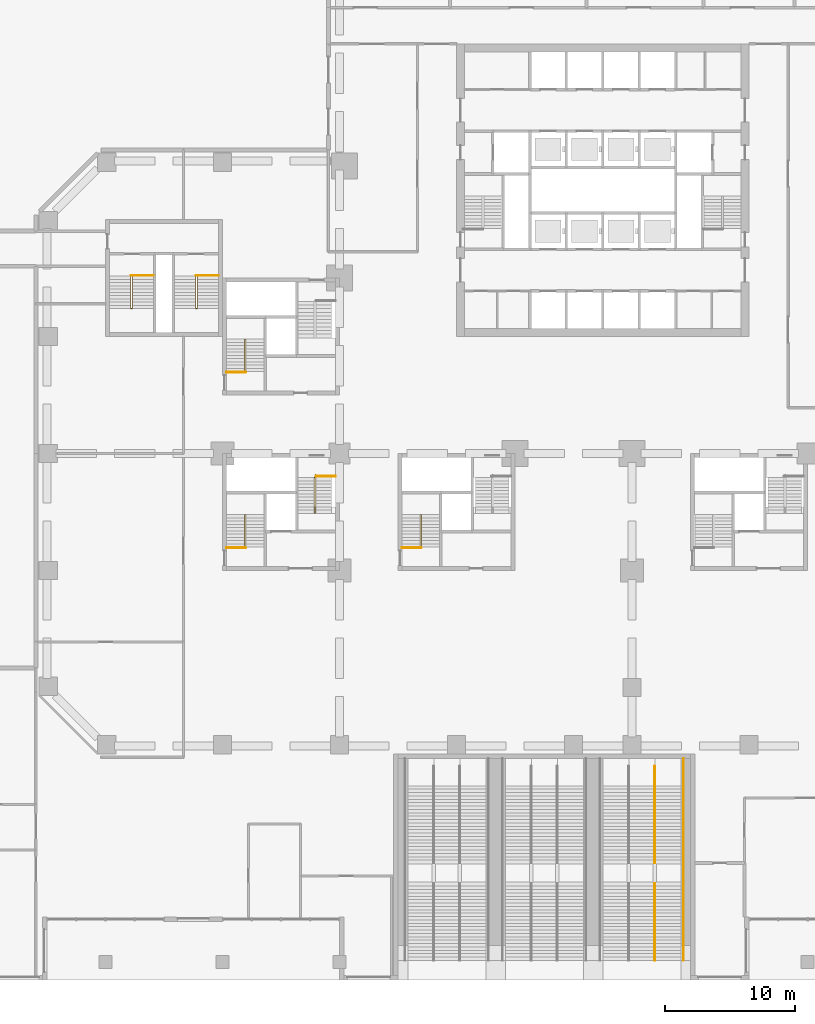
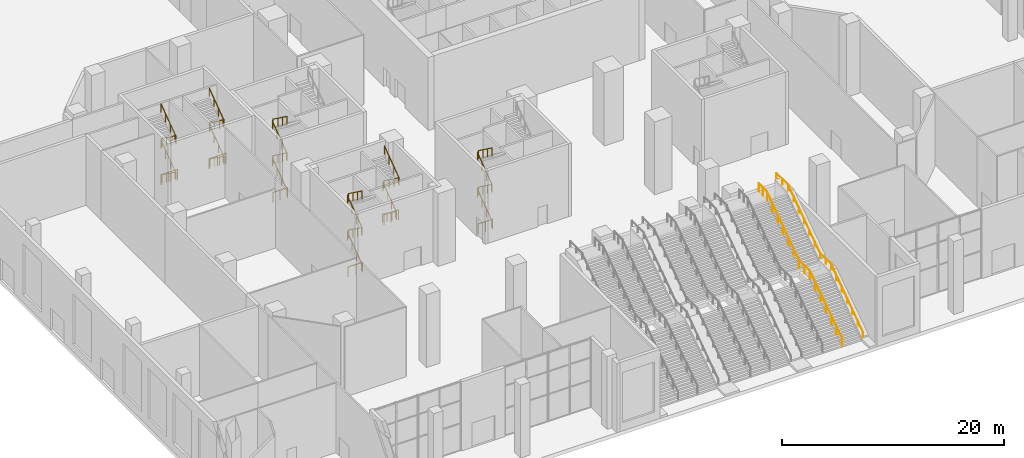
# One storey, part 30 of 32: 14 railings.
"""IFC4 building model written with IfcOpenShell, lengths in metres."""

import ifcopenshell
import ifcopenshell.guid

model = None  # the IFC model being written
_history = None  # IfcOwnerHistory: only IFC2X3 demands one
_inside = {}  # id of a spatial element -> (the spatial element, [elements in it])
_under = {}  # id of a project, library or spatial element -> (it, [spatial elements below it])
_declared = {}  # id of a project -> (the project, [libraries it declares])
_typed = {}  # id of a type object -> (the type object, [elements of that type])
_made_of = {}  # id of a material, layer set ... -> (it, [elements and type objects made of it])


def new_model(schema):
    """Start an empty IFC model of exactly this schema.

    Asked for "IFC4X3", IfcOpenShell would pick the latest addendum, in which some entities
    have other attributes; the version numbers below select the first issue.
    IFC2X3 requires an IfcOwnerHistory on every rooted entity: one is made here for all.
    """
    global model, _history
    if schema == "IFC4X3":
        model = ifcopenshell.file(schema_version=(4, 3, 0, 0))
    else:
        model = ifcopenshell.file(schema=schema)
    _inside.clear()
    _under.clear()
    _declared.clear()
    _typed.clear()
    _made_of.clear()
    _history = None
    if model.schema == "IFC2X3":
        org = make("IfcOrganization", Name="unknown")
        user = make(
            "IfcPersonAndOrganization",
            ThePerson=make("IfcPerson", FamilyName="unknown"),
            TheOrganization=org,
        )
        app = make(
            "IfcApplication",
            ApplicationDeveloper=org,
            Version="unknown",
            ApplicationFullName="unknown",
            ApplicationIdentifier="unknown",
        )
        _history = make(
            "IfcOwnerHistory",
            OwningUser=user,
            OwningApplication=app,
            ChangeAction="ADDED",
            CreationDate=0,
        )
    return model


def make(cls, **values):
    """One entity of the class cls with the attributes given. An attribute that is None is left unset."""
    return model.create_entity(
        cls, **{name: value for name, value in values.items() if value is not None}
    )


def rooted(cls, **values):
    """An entity with a GlobalId (a new one), such as an element, a storey or a relation."""
    return make(cls, GlobalId=ifcopenshell.guid.new(), OwnerHistory=_history, **values)


def si_unit(unit_type, name, prefix=None):
    """IfcSIUnit, for example si_unit("LENGTHUNIT", "METRE", prefix="MILLI")."""
    return make("IfcSIUnit", UnitType=unit_type, Prefix=prefix, Name=name)


def assignment(units):
    """IfcUnitAssignment: the units of a project."""
    return None if units is None else make("IfcUnitAssignment", Units=units)


def point(xyz):
    """IfcCartesianPoint."""
    return None if xyz is None else make("IfcCartesianPoint", Coordinates=xyz)


def direction(xyz):
    """IfcDirection."""
    return None if xyz is None else make("IfcDirection", DirectionRatios=xyz)


def frame(location, z_axis=None, x_axis=None):
    """IfcAxis2Placement3D, a coordinate frame: its origin and axes. An axis left out is left unset."""
    return make(
        "IfcAxis2Placement3D",
        Location=point(location),
        Axis=direction(z_axis),
        RefDirection=direction(x_axis),
    )


def frame_2d(location, x_axis=None):
    """IfcAxis2Placement2D, a coordinate frame in the plane: its origin and x axis."""
    return make(
        "IfcAxis2Placement2D", Location=point(location), RefDirection=direction(x_axis)
    )


def origin():
    """The frame at (0, 0, 0) with its axes left unset."""
    return frame((0.0, 0.0, 0.0))


def origin_2d():
    """The frame at (0, 0) in the plane with its x axis left unset."""
    return frame_2d((0.0, 0.0))


def place(relative_to, where):
    """IfcLocalPlacement: puts the frame where relative to a parent placement (None: the world)."""
    return make(
        "IfcLocalPlacement", PlacementRelTo=relative_to, RelativePlacement=where
    )


def context(
    kind, dimensions, precision=None, world=None, true_north=None, identifier=None
):
    """IfcGeometricRepresentationContext, for example the 3D "Model" context."""
    return make(
        "IfcGeometricRepresentationContext",
        ContextIdentifier=identifier,
        ContextType=kind,
        CoordinateSpaceDimension=dimensions,
        Precision=precision,
        WorldCoordinateSystem=world,
        TrueNorth=true_north,
    )


def subcontext(parent, identifier, kind, view, scale=None):
    """IfcGeometricRepresentationSubContext, for example "Body" below "Model"."""
    return make(
        "IfcGeometricRepresentationSubContext",
        ContextIdentifier=identifier,
        ContextType=kind,
        ParentContext=parent,
        TargetScale=scale,
        TargetView=view,
    )


def project(units=None, contexts=None):
    """IfcProject with its units and contexts."""
    return rooted(
        "IfcProject",
        Name="project",
        RepresentationContexts=contexts,
        UnitsInContext=assignment(units),
    )


def spatial(cls, under=None, at=None, **own):
    """A site, building, storey or space (cls), placed at a placement, below another one or the project."""
    s = rooted(cls, ObjectPlacement=at, **own)
    if under is not None:
        _under.setdefault(under.id(), (under, []))[1].append(s)
    return s


def profile(cls, at=None, kind="AREA", **sizes):
    """A parametric profile (cls). Its sizes go by their IFC names, for example OverallWidth=200.0."""
    return make(cls, ProfileType=kind, Position=at, **sizes)


def circle(**sizes):
    """IfcCircleProfileDef."""
    return profile("IfcCircleProfileDef", **sizes)


def extrude(swept, where, along, depth):
    """IfcExtrudedAreaSolid: the profile swept, set in the frame where, extruded along a direction by depth."""
    return make(
        "IfcExtrudedAreaSolid",
        SweptArea=swept,
        Position=where,
        ExtrudedDirection=direction(along),
        Depth=depth,
    )


def shape(context_of_items, identifier, shape_type, items):
    """IfcShapeRepresentation: the items that make up one representation, for example the "Body"."""
    return make(
        "IfcShapeRepresentation",
        ContextOfItems=context_of_items,
        RepresentationIdentifier=identifier,
        RepresentationType=shape_type,
        Items=items,
    )


def material(Name=None, Category=None):
    """IfcMaterial."""
    return make("IfcMaterial", Name=Name, Category=Category)


def made_of(thing, what):
    """Note that an element or type object is made of a material, layer set ...; save() writes the relation."""
    if what is not None:
        _made_of.setdefault(what.id(), (what, []))[1].append(thing)
    return thing


def type_object(cls, material=None, **own):
    """A type object (cls), such as IfcWallType, which elements share."""
    return made_of(rooted(cls, **own), material)


def element(
    cls,
    number,
    at=None,
    inside=None,
    cuts=None,
    type_object=None,
    material=None,
    context=None,
    identifier="Body",
    shape_type=None,
    held_by="IfcProductDefinitionShape",
    body=None,
    shapes=None,
    **own,
):
    """One element of the class cls, such as IfcWall. Its Tag is "e" and its number.

    at: its placement. inside: the storey or other place that contains it. cuts: it is an
    opening in that element (IfcRelVoidsElement). A single representation is given by context,
    identifier, shape_type and body (its items); several are given by shapes. held_by: the class
    of the entity that holds the representations. save() writes the other relations.
    """
    e = rooted(cls, Tag="e%d" % number, ObjectPlacement=at, **own)
    if body is not None:
        shapes = [shape(context, identifier, shape_type, body)]
    if shapes is not None:
        e.Representation = make(held_by, Representations=shapes)
    if inside is not None:
        _inside.setdefault(inside.id(), (inside, []))[1].append(e)
    if cuts is not None:
        rooted(
            "IfcRelVoidsElement", RelatingBuildingElement=cuts, RelatedOpeningElement=e
        )
    if type_object is not None:
        _typed.setdefault(type_object.id(), (type_object, []))[1].append(e)
    return made_of(e, material)


def aggregate(whole, parts):
    """IfcRelAggregates: a whole, such as a stair, and the parts it consists of."""
    return rooted("IfcRelAggregates", RelatingObject=whole, RelatedObjects=parts)


def save(model, path):
    """Write the relations noted so far, then the file.

    IfcRelAggregates (storeys below a building ...), IfcRelContainedInSpatialStructure (elements
    in a storey), IfcRelDefinesByType, IfcRelAssociatesMaterial and IfcRelDeclares: one each for
    every whole, place, type object, material and project.
    """
    for whole, parts in _under.values():
        aggregate(whole, parts)
    for where, things in _inside.values():
        rooted(
            "IfcRelContainedInSpatialStructure",
            RelatedElements=things,
            RelatingStructure=where,
        )
    for kind, things in _typed.values():
        rooted("IfcRelDefinesByType", RelatedObjects=things, RelatingType=kind)
    for what, things in _made_of.values():
        rooted("IfcRelAssociatesMaterial", RelatedObjects=things, RelatingMaterial=what)
    for by, libraries in _declared.values():
        rooted("IfcRelDeclares", RelatingContext=by, RelatedDefinitions=libraries)
    model.write(path)


model = new_model("IFC4")

# Units and contexts
model_context = context("Model", 3, precision=1e-05, world=origin(), true_north=direction((0.0, 1.0)))
body_context = subcontext(model_context, "Body", "Model", "MODEL_VIEW")
ifc_project = project(units=[si_unit("LENGTHUNIT", "METRE"), si_unit("AREAUNIT", "SQUARE_METRE"), si_unit("VOLUMEUNIT", "CUBIC_METRE"), si_unit("PLANEANGLEUNIT", "RADIAN"), si_unit("MASSUNIT", "GRAM", prefix="KILO")], contexts=[model_context])

# Site, building, storey
site_placement = place(None, origin())
site = spatial("IfcSite", under=ifc_project, at=site_placement, CompositionType="ELEMENT")
building_placement = place(site_placement, origin())
building = spatial("IfcBuilding", under=site, at=building_placement, Name="Quoin Convention Tower", CompositionType="ELEMENT")
storey_placement = place(building_placement, origin())
storey = spatial("IfcBuildingStorey", under=building, at=storey_placement, Name="L00", CompositionType="ELEMENT", Elevation=0.0)

# Railings
ifc_material = material(Name="Stainless steel", Category="steel")
railing_type_1 = type_object("IfcRailingType", Name="Handrail 900", PredefinedType="HANDRAIL", material=ifc_material)
railing_1_placement = place(storey_placement, frame((60.25, 1.5, 0.173828125)))
element("IfcRailing", 1, at=railing_1_placement, inside=storey, type_object=railing_type_1, Name="bst-rail-3C2", PredefinedType="HANDRAIL", context=body_context, shape_type="SweptSolid", body=[
    extrude(circle(Radius=0.02392578125, at=origin_2d()), frame((0.0, 0.0, 0.8759765625), z_axis=(0.0, 0.831186928685, 0.555993066129), x_axis=(-1.0, 0.0, 0.0)), (0.0, 0.0, 1.0), 6.881591796875),
    extrude(circle(Radius=0.02392578125, at=origin_2d()), frame((0.0, 5.719970703125, 4.7021484375), z_axis=(0.0, 1.0, 0.0), x_axis=(-1.0, 0.0, 0.0)), (0.0, 0.0, 1.0), 2.0),
    extrude(circle(Radius=0.02392578125, at=origin_2d()), frame((0.0, 7.719970703125, 4.7021484375), z_axis=(0.0, 0.81949968286, 0.573079636518), x_axis=(-1.0, 0.0, 0.0)), (0.0, 0.0, 1.0), 6.979736328125),
    extrude(circle(Radius=0.02392578125, at=origin_2d()), frame((0.0, 13.43994140625, 8.7021484375), z_axis=(0.0, 1.0, 0.0), x_axis=(-1.0, 0.0, 0.0)), (0.0, 0.0, 1.0), 1.510009765625),
    extrude(circle(Radius=0.02099609375, at=origin_2d()), origin(), (0.0, 0.0, 1.0), 0.851806640625),
    extrude(circle(Radius=0.02099609375, at=origin_2d()), frame((0.0, 0.953369140625, 0.6376953125)), (0.0, 0.0, 1.0), 0.851806640625),
    extrude(circle(Radius=0.02099609375, at=origin_2d()), frame((0.0, 1.90673828125, 1.275390625)), (0.0, 0.0, 1.0), 0.851806640625),
    extrude(circle(Radius=0.02099609375, at=origin_2d()), frame((0.0, 2.85986328125, 1.9130859375)), (0.0, 0.0, 1.0), 0.851806640625),
    extrude(circle(Radius=0.02099609375, at=origin_2d()), frame((0.0, 3.813232421875, 2.55078125)), (0.0, 0.0, 1.0), 0.851806640625),
    extrude(circle(Radius=0.02099609375, at=origin_2d()), frame((0.0, 4.7666015625, 3.1884765625)), (0.0, 0.0, 1.0), 0.851806640625),
    extrude(circle(Radius=0.02099609375, at=origin_2d()), frame((0.0, 5.719970703125, 3.826171875)), (0.0, 0.0, 1.0), 0.851806640625),
    extrude(circle(Radius=0.02099609375, at=origin_2d()), frame((0.0, 6.719970703125, 3.826171875)), (0.0, 0.0, 1.0), 0.851806640625),
    extrude(circle(Radius=0.02099609375, at=origin_2d()), frame((0.0, 7.719970703125, 3.826171875)), (0.0, 0.0, 1.0), 0.851806640625),
    extrude(circle(Radius=0.02099609375, at=origin_2d()), frame((0.0, 8.67333984375, 4.492919921875)), (0.0, 0.0, 1.0), 0.851806640625),
    extrude(circle(Radius=0.02099609375, at=origin_2d()), frame((0.0, 9.626708984375, 5.159423828125)), (0.0, 0.0, 1.0), 0.851806640625),
    extrude(circle(Radius=0.02099609375, at=origin_2d()), frame((0.0, 10.580078125, 5.826171875)), (0.0, 0.0, 1.0), 0.851806640625),
    extrude(circle(Radius=0.02099609375, at=origin_2d()), frame((0.0, 11.533203125, 6.492919921875)), (0.0, 0.0, 1.0), 0.851806640625),
    extrude(circle(Radius=0.02099609375, at=origin_2d()), frame((0.0, 12.486572265625, 7.159423828125)), (0.0, 0.0, 1.0), 0.851806640625),
    extrude(circle(Radius=0.02099609375, at=origin_2d()), frame((0.0, 13.43994140625, 7.826171875)), (0.0, 0.0, 1.0), 0.851806640625),
    extrude(circle(Radius=0.02099609375, at=origin_2d()), frame((0.0, 14.19482421875, 7.826171875)), (0.0, 0.0, 1.0), 0.851806640625),
    extrude(circle(Radius=0.02099609375, at=origin_2d()), frame((0.0, 14.949951171875, 7.826171875)), (0.0, 0.0, 1.0), 0.851806640625),
])
railing_type_2 = type_object("IfcRailingType", Name="Stair handrail 900", PredefinedType="HANDRAIL", material=ifc_material)
railing_2_placement = place(storey_placement, frame((28.705078125, 46.800048828125, 0.181884765625)))
element("IfcRailing", 2, at=railing_2_placement, inside=storey, type_object=railing_type_2, Name="SD3 handrail 1", PredefinedType="HANDRAIL", context=body_context, shape_type="SweptSolid", body=[
    extrude(circle(Radius=0.02392578125, at=origin_2d()), frame((0.0, 0.0, 0.8759765625), z_axis=(0.0, 0.808746330122, 0.588157609416), x_axis=(-1.0, 0.0, 0.0)), (0.0, 0.0, 1.0), 3.09130859375),
    extrude(circle(Radius=0.02392578125, at=origin_2d()), frame((0.0, 2.5, 2.69384765625), z_axis=(0.44287586767, 0.0, 0.896582938626), x_axis=(0.0, 1.0, 0.0)), (0.0, 0.0, 1.0), 0.202880859375),
    extrude(circle(Radius=0.02392578125, at=origin_2d()), frame((0.08984375, 2.5, 2.8759765625), z_axis=(0.0, -0.808746330122, 0.588157609416), x_axis=(1.0, 0.0, 0.0)), (0.0, 0.0, 1.0), 3.09130859375),
    extrude(circle(Radius=0.02392578125, at=origin_2d()), frame((0.08984375, 0.0, 4.69384765625), z_axis=(-0.44287586767, 0.0, 0.896582938626), x_axis=(0.0, -1.0, 0.0)), (0.0, 0.0, 1.0), 0.202880859375),
    extrude(circle(Radius=0.02392578125, at=origin_2d()), frame((0.0, 0.0, 4.8759765625), z_axis=(0.0, 0.808746330122, 0.588157609416), x_axis=(-1.0, 0.0, 0.0)), (0.0, 0.0, 1.0), 3.09130859375),
    extrude(circle(Radius=0.02392578125, at=origin_2d()), frame((0.0, 2.5, 6.69384765625), z_axis=(0.44287586767, 0.0, 0.896582938626), x_axis=(0.0, 1.0, 0.0)), (0.0, 0.0, 1.0), 0.202880859375),
    extrude(circle(Radius=0.02392578125, at=origin_2d()), frame((0.08984375, 2.5, 6.8759765625), z_axis=(0.0, -0.808746330122, 0.588157609416), x_axis=(1.0, 0.0, 0.0)), (0.0, 0.0, 1.0), 3.09130859375),
    extrude(circle(Radius=0.02099609375, at=origin_2d()), origin(), (0.0, 0.0, 1.0), 0.851806640625),
    extrude(circle(Radius=0.02099609375, at=origin_2d()), frame((0.0, 0.833251953125, 0.60595703125)), (0.0, 0.0, 1.0), 0.851806640625),
    extrude(circle(Radius=0.02099609375, at=origin_2d()), frame((0.0, 1.666748046875, 1.212158203125)), (0.0, 0.0, 1.0), 0.851806640625),
    extrude(circle(Radius=0.02099609375, at=origin_2d()), frame((0.0, 2.5, 1.818115234375)), (0.0, 0.0, 1.0), 0.851806640625),
    extrude(circle(Radius=0.02099609375, at=origin_2d()), frame((0.08984375, 2.5, 2.0)), (0.0, 0.0, 1.0), 0.851806640625),
    extrude(circle(Radius=0.02099609375, at=origin_2d()), frame((0.08984375, 1.666748046875, 2.60595703125)), (0.0, 0.0, 1.0), 0.851806640625),
    extrude(circle(Radius=0.02099609375, at=origin_2d()), frame((0.08984375, 0.833251953125, 3.212158203125)), (0.0, 0.0, 1.0), 0.851806640625),
    extrude(circle(Radius=0.02099609375, at=origin_2d()), frame((0.08984375, 0.0, 3.818115234375)), (0.0, 0.0, 1.0), 0.851806640625),
    extrude(circle(Radius=0.02099609375, at=origin_2d()), frame((0.0, 0.0, 4.0)), (0.0, 0.0, 1.0), 0.851806640625),
    extrude(circle(Radius=0.02099609375, at=origin_2d()), frame((0.0, 0.833251953125, 4.60595703125)), (0.0, 0.0, 1.0), 0.851806640625),
    extrude(circle(Radius=0.02099609375, at=origin_2d()), frame((0.0, 1.666748046875, 5.212158203125)), (0.0, 0.0, 1.0), 0.851806640625),
    extrude(circle(Radius=0.02099609375, at=origin_2d()), frame((0.0, 2.5, 5.818115234375)), (0.0, 0.0, 1.0), 0.851806640625),
    extrude(circle(Radius=0.02099609375, at=origin_2d()), frame((0.08984375, 2.5, 6.0)), (0.0, 0.0, 1.0), 0.851806640625),
    extrude(circle(Radius=0.02099609375, at=origin_2d()), frame((0.08984375, 1.666748046875, 6.60595703125)), (0.0, 0.0, 1.0), 0.851806640625),
    extrude(circle(Radius=0.02099609375, at=origin_2d()), frame((0.08984375, 0.833251953125, 7.212158203125)), (0.0, 0.0, 1.0), 0.851806640625),
    extrude(circle(Radius=0.02099609375, at=origin_2d()), frame((0.08984375, 0.0, 7.818115234375)), (0.0, 0.0, 1.0), 0.851806640625),
])
railing_3_placement = place(storey_placement, frame((42.205078125, 33.300048828125, 0.181884765625)))
element("IfcRailing", 3, at=railing_3_placement, inside=storey, type_object=railing_type_2, Name="SD5 handrail 1", PredefinedType="HANDRAIL", context=body_context, shape_type="SweptSolid", body=[
    extrude(circle(Radius=0.02392578125, at=origin_2d()), frame((0.0, 0.0, 0.8759765625), z_axis=(0.0, 0.808746330122, 0.588157609416), x_axis=(-1.0, 0.0, 0.0)), (0.0, 0.0, 1.0), 3.09130859375),
    extrude(circle(Radius=0.02392578125, at=origin_2d()), frame((0.0, 2.5, 2.69384765625), z_axis=(0.44287586767, 0.0, 0.896582938626), x_axis=(0.0, 1.0, 0.0)), (0.0, 0.0, 1.0), 0.202880859375),
    extrude(circle(Radius=0.02392578125, at=origin_2d()), frame((0.08984375, 2.5, 2.8759765625), z_axis=(0.0, -0.808746330122, 0.588157609416), x_axis=(1.0, 0.0, 0.0)), (0.0, 0.0, 1.0), 3.09130859375),
    extrude(circle(Radius=0.02392578125, at=origin_2d()), frame((0.08984375, 0.0, 4.69384765625), z_axis=(-0.44287586767, 0.0, 0.896582938626), x_axis=(0.0, -1.0, 0.0)), (0.0, 0.0, 1.0), 0.202880859375),
    extrude(circle(Radius=0.02392578125, at=origin_2d()), frame((0.0, 0.0, 4.8759765625), z_axis=(0.0, 0.808746330122, 0.588157609416), x_axis=(-1.0, 0.0, 0.0)), (0.0, 0.0, 1.0), 3.09130859375),
    extrude(circle(Radius=0.02392578125, at=origin_2d()), frame((0.0, 2.5, 6.69384765625), z_axis=(0.44287586767, 0.0, 0.896582938626), x_axis=(0.0, 1.0, 0.0)), (0.0, 0.0, 1.0), 0.202880859375),
    extrude(circle(Radius=0.02392578125, at=origin_2d()), frame((0.08984375, 2.5, 6.8759765625), z_axis=(0.0, -0.808746330122, 0.588157609416), x_axis=(1.0, 0.0, 0.0)), (0.0, 0.0, 1.0), 3.09130859375),
    extrude(circle(Radius=0.02099609375, at=origin_2d()), origin(), (0.0, 0.0, 1.0), 0.851806640625),
    extrude(circle(Radius=0.02099609375, at=origin_2d()), frame((0.0, 0.833251953125, 0.60595703125)), (0.0, 0.0, 1.0), 0.851806640625),
    extrude(circle(Radius=0.02099609375, at=origin_2d()), frame((0.0, 1.666748046875, 1.212158203125)), (0.0, 0.0, 1.0), 0.851806640625),
    extrude(circle(Radius=0.02099609375, at=origin_2d()), frame((0.0, 2.5, 1.818115234375)), (0.0, 0.0, 1.0), 0.851806640625),
    extrude(circle(Radius=0.02099609375, at=origin_2d()), frame((0.08984375, 2.5, 2.0)), (0.0, 0.0, 1.0), 0.851806640625),
    extrude(circle(Radius=0.02099609375, at=origin_2d()), frame((0.08984375, 1.666748046875, 2.60595703125)), (0.0, 0.0, 1.0), 0.851806640625),
    extrude(circle(Radius=0.02099609375, at=origin_2d()), frame((0.08984375, 0.833251953125, 3.212158203125)), (0.0, 0.0, 1.0), 0.851806640625),
    extrude(circle(Radius=0.02099609375, at=origin_2d()), frame((0.08984375, 0.0, 3.818115234375)), (0.0, 0.0, 1.0), 0.851806640625),
    extrude(circle(Radius=0.02099609375, at=origin_2d()), frame((0.0, 0.0, 4.0)), (0.0, 0.0, 1.0), 0.851806640625),
    extrude(circle(Radius=0.02099609375, at=origin_2d()), frame((0.0, 0.833251953125, 4.60595703125)), (0.0, 0.0, 1.0), 0.851806640625),
    extrude(circle(Radius=0.02099609375, at=origin_2d()), frame((0.0, 1.666748046875, 5.212158203125)), (0.0, 0.0, 1.0), 0.851806640625),
    extrude(circle(Radius=0.02099609375, at=origin_2d()), frame((0.0, 2.5, 5.818115234375)), (0.0, 0.0, 1.0), 0.851806640625),
    extrude(circle(Radius=0.02099609375, at=origin_2d()), frame((0.08984375, 2.5, 6.0)), (0.0, 0.0, 1.0), 0.851806640625),
    extrude(circle(Radius=0.02099609375, at=origin_2d()), frame((0.08984375, 1.666748046875, 6.60595703125)), (0.0, 0.0, 1.0), 0.851806640625),
    extrude(circle(Radius=0.02099609375, at=origin_2d()), frame((0.08984375, 0.833251953125, 7.212158203125)), (0.0, 0.0, 1.0), 0.851806640625),
    extrude(circle(Radius=0.02099609375, at=origin_2d()), frame((0.08984375, 0.0, 7.818115234375)), (0.0, 0.0, 1.0), 0.851806640625),
])
railing_4_placement = place(storey_placement, frame((28.705078125, 33.300048828125, 0.181884765625)))
element("IfcRailing", 4, at=railing_4_placement, inside=storey, type_object=railing_type_2, Name="SD7 handrail 1", PredefinedType="HANDRAIL", context=body_context, shape_type="SweptSolid", body=[
    extrude(circle(Radius=0.02392578125, at=origin_2d()), frame((0.0, 0.0, 0.8759765625), z_axis=(0.0, 0.808746330122, 0.588157609416), x_axis=(-1.0, 0.0, 0.0)), (0.0, 0.0, 1.0), 3.09130859375),
    extrude(circle(Radius=0.02392578125, at=origin_2d()), frame((0.0, 2.5, 2.69384765625), z_axis=(0.44287586767, 0.0, 0.896582938626), x_axis=(0.0, 1.0, 0.0)), (0.0, 0.0, 1.0), 0.202880859375),
    extrude(circle(Radius=0.02392578125, at=origin_2d()), frame((0.08984375, 2.5, 2.8759765625), z_axis=(0.0, -0.808746330122, 0.588157609416), x_axis=(1.0, 0.0, 0.0)), (0.0, 0.0, 1.0), 3.09130859375),
    extrude(circle(Radius=0.02392578125, at=origin_2d()), frame((0.08984375, 0.0, 4.69384765625), z_axis=(-0.44287586767, 0.0, 0.896582938626), x_axis=(0.0, -1.0, 0.0)), (0.0, 0.0, 1.0), 0.202880859375),
    extrude(circle(Radius=0.02392578125, at=origin_2d()), frame((0.0, 0.0, 4.8759765625), z_axis=(0.0, 0.808746330122, 0.588157609416), x_axis=(-1.0, 0.0, 0.0)), (0.0, 0.0, 1.0), 3.09130859375),
    extrude(circle(Radius=0.02392578125, at=origin_2d()), frame((0.0, 2.5, 6.69384765625), z_axis=(0.44287586767, 0.0, 0.896582938626), x_axis=(0.0, 1.0, 0.0)), (0.0, 0.0, 1.0), 0.202880859375),
    extrude(circle(Radius=0.02392578125, at=origin_2d()), frame((0.08984375, 2.5, 6.8759765625), z_axis=(0.0, -0.808746330122, 0.588157609416), x_axis=(1.0, 0.0, 0.0)), (0.0, 0.0, 1.0), 3.09130859375),
    extrude(circle(Radius=0.02099609375, at=origin_2d()), origin(), (0.0, 0.0, 1.0), 0.851806640625),
    extrude(circle(Radius=0.02099609375, at=origin_2d()), frame((0.0, 0.833251953125, 0.60595703125)), (0.0, 0.0, 1.0), 0.851806640625),
    extrude(circle(Radius=0.02099609375, at=origin_2d()), frame((0.0, 1.666748046875, 1.212158203125)), (0.0, 0.0, 1.0), 0.851806640625),
    extrude(circle(Radius=0.02099609375, at=origin_2d()), frame((0.0, 2.5, 1.818115234375)), (0.0, 0.0, 1.0), 0.851806640625),
    extrude(circle(Radius=0.02099609375, at=origin_2d()), frame((0.08984375, 2.5, 2.0)), (0.0, 0.0, 1.0), 0.851806640625),
    extrude(circle(Radius=0.02099609375, at=origin_2d()), frame((0.08984375, 1.666748046875, 2.60595703125)), (0.0, 0.0, 1.0), 0.851806640625),
    extrude(circle(Radius=0.02099609375, at=origin_2d()), frame((0.08984375, 0.833251953125, 3.212158203125)), (0.0, 0.0, 1.0), 0.851806640625),
    extrude(circle(Radius=0.02099609375, at=origin_2d()), frame((0.08984375, 0.0, 3.818115234375)), (0.0, 0.0, 1.0), 0.851806640625),
    extrude(circle(Radius=0.02099609375, at=origin_2d()), frame((0.0, 0.0, 4.0)), (0.0, 0.0, 1.0), 0.851806640625),
    extrude(circle(Radius=0.02099609375, at=origin_2d()), frame((0.0, 0.833251953125, 4.60595703125)), (0.0, 0.0, 1.0), 0.851806640625),
    extrude(circle(Radius=0.02099609375, at=origin_2d()), frame((0.0, 1.666748046875, 5.212158203125)), (0.0, 0.0, 1.0), 0.851806640625),
    extrude(circle(Radius=0.02099609375, at=origin_2d()), frame((0.0, 2.5, 5.818115234375)), (0.0, 0.0, 1.0), 0.851806640625),
    extrude(circle(Radius=0.02099609375, at=origin_2d()), frame((0.08984375, 2.5, 6.0)), (0.0, 0.0, 1.0), 0.851806640625),
    extrude(circle(Radius=0.02099609375, at=origin_2d()), frame((0.08984375, 1.666748046875, 6.60595703125)), (0.0, 0.0, 1.0), 0.851806640625),
    extrude(circle(Radius=0.02099609375, at=origin_2d()), frame((0.08984375, 0.833251953125, 7.212158203125)), (0.0, 0.0, 1.0), 0.851806640625),
    extrude(circle(Radius=0.02099609375, at=origin_2d()), frame((0.08984375, 0.0, 7.818115234375)), (0.0, 0.0, 1.0), 0.851806640625),
])
railing_5_placement = place(storey_placement, frame((34.14501953125, 38.89990234375, 0.181884765625)))
element("IfcRailing", 5, at=railing_5_placement, inside=storey, type_object=railing_type_2, Name="SD8 handrail 1", PredefinedType="HANDRAIL", context=body_context, shape_type="SweptSolid", body=[
    extrude(circle(Radius=0.02392578125, at=origin_2d()), frame((0.0, 0.0, 0.8759765625), z_axis=(0.0, -0.808746330122, 0.588157609416), x_axis=(1.0, 0.0, 0.0)), (0.0, 0.0, 1.0), 3.09130859375),
    extrude(circle(Radius=0.02392578125, at=origin_2d()), frame((0.0, -2.5, 2.69384765625), z_axis=(-0.443842514395, 0.0, 0.896104805486), x_axis=(0.0, -1.0, 0.0)), (0.0, 0.0, 1.0), 0.202880859375),
    extrude(circle(Radius=0.02392578125, at=origin_2d()), frame((-0.090087890625, -2.5, 2.8759765625), z_axis=(0.0, 0.808758852809, 0.588140389706), x_axis=(-1.0, 0.0, 0.0)), (0.0, 0.0, 1.0), 2.781982421875),
    extrude(circle(Radius=0.02392578125, at=origin_2d()), frame((-0.090087890625, -0.25, 4.51220703125), z_axis=(0.443842514395, 0.0, 0.896104805486), x_axis=(0.0, 1.0, 0.0)), (0.0, 0.0, 1.0), 0.202880859375),
    extrude(circle(Radius=0.02392578125, at=origin_2d()), frame((0.0, -0.25, 4.69384765625), z_axis=(0.0, -0.808736084303, 0.588171697675), x_axis=(1.0, 0.0, 0.0)), (0.0, 0.0, 1.0), 3.400390625),
    extrude(circle(Radius=0.02392578125, at=origin_2d()), frame((0.0, -3.0, 6.69384765625), z_axis=(-0.443842514395, 0.0, 0.896104805486), x_axis=(0.0, -1.0, 0.0)), (0.0, 0.0, 1.0), 0.202880859375),
    extrude(circle(Radius=0.02392578125, at=origin_2d()), frame((-0.090087890625, -3.0, 6.8759765625), z_axis=(0.0, 0.808746330122, 0.588157609416), x_axis=(-1.0, 0.0, 0.0)), (0.0, 0.0, 1.0), 3.09130859375),
    extrude(circle(Radius=0.02099609375, at=origin_2d()), origin(), (0.0, 0.0, 1.0), 0.851806640625),
    extrude(circle(Radius=0.02099609375, at=origin_2d()), frame((0.0, -0.833251953125, 0.60595703125)), (0.0, 0.0, 1.0), 0.851806640625),
    extrude(circle(Radius=0.02099609375, at=origin_2d()), frame((0.0, -1.666748046875, 1.212158203125)), (0.0, 0.0, 1.0), 0.851806640625),
    extrude(circle(Radius=0.02099609375, at=origin_2d()), frame((0.0, -2.5, 1.818115234375)), (0.0, 0.0, 1.0), 0.851806640625),
    extrude(circle(Radius=0.02099609375, at=origin_2d()), frame((-0.090087890625, -2.5, 2.0)), (0.0, 0.0, 1.0), 0.851806640625),
    extrude(circle(Radius=0.02099609375, at=origin_2d()), frame((-0.090087890625, -1.75, 2.54541015625)), (0.0, 0.0, 1.0), 0.851806640625),
    extrude(circle(Radius=0.02099609375, at=origin_2d()), frame((-0.090087890625, -1.0, 3.0908203125)), (0.0, 0.0, 1.0), 0.851806640625),
    extrude(circle(Radius=0.02099609375, at=origin_2d()), frame((-0.090087890625, -0.25, 3.63623046875)), (0.0, 0.0, 1.0), 0.851806640625),
    extrude(circle(Radius=0.02099609375, at=origin_2d()), frame((0.0, -0.25, 3.818115234375)), (0.0, 0.0, 1.0), 0.851806640625),
    extrude(circle(Radius=0.02099609375, at=origin_2d()), frame((0.0, -1.166748046875, 4.48486328125)), (0.0, 0.0, 1.0), 0.851806640625),
    extrude(circle(Radius=0.02099609375, at=origin_2d()), frame((0.0, -2.083251953125, 5.1513671875)), (0.0, 0.0, 1.0), 0.851806640625),
    extrude(circle(Radius=0.02099609375, at=origin_2d()), frame((0.0, -3.0, 5.818115234375)), (0.0, 0.0, 1.0), 0.851806640625),
    extrude(circle(Radius=0.02099609375, at=origin_2d()), frame((-0.090087890625, -3.0, 6.0)), (0.0, 0.0, 1.0), 0.851806640625),
    extrude(circle(Radius=0.02099609375, at=origin_2d()), frame((-0.090087890625, -2.166748046875, 6.60595703125)), (0.0, 0.0, 1.0), 0.851806640625),
    extrude(circle(Radius=0.02099609375, at=origin_2d()), frame((-0.090087890625, -1.333251953125, 7.212158203125)), (0.0, 0.0, 1.0), 0.851806640625),
    extrude(circle(Radius=0.02099609375, at=origin_2d()), frame((-0.090087890625, -0.5, 7.818115234375)), (0.0, 0.0, 1.0), 0.851806640625),
])
railing_6_placement = place(storey_placement, frame((20.044921875, 54.14990234375, 0.181884765625)))
element("IfcRailing", 6, at=railing_6_placement, inside=storey, type_object=railing_type_2, Name="SD11 handrail 1", PredefinedType="HANDRAIL", context=body_context, shape_type="SweptSolid", body=[
    extrude(circle(Radius=0.02392578125, at=origin_2d()), frame((0.0, 0.0, 0.8759765625), z_axis=(0.0, -0.808746330122, 0.588157609416), x_axis=(1.0, 0.0, 0.0)), (0.0, 0.0, 1.0), 3.09130859375),
    extrude(circle(Radius=0.02392578125, at=origin_2d()), frame((0.0, -2.5, 2.69384765625), z_axis=(-0.44287586767, 0.0, 0.896582938626), x_axis=(0.0, -1.0, 0.0)), (0.0, 0.0, 1.0), 0.202880859375),
    extrude(circle(Radius=0.02392578125, at=origin_2d()), frame((-0.08984375, -2.5, 2.8759765625), z_axis=(0.0, 0.808746330122, 0.588157609416), x_axis=(-1.0, 0.0, 0.0)), (0.0, 0.0, 1.0), 3.09130859375),
    extrude(circle(Radius=0.02392578125, at=origin_2d()), frame((-0.08984375, 0.0, 4.69384765625), z_axis=(0.44287586767, 0.0, 0.896582938626), x_axis=(0.0, 1.0, 0.0)), (0.0, 0.0, 1.0), 0.202880859375),
    extrude(circle(Radius=0.02392578125, at=origin_2d()), frame((0.0, 0.0, 4.8759765625), z_axis=(0.0, -0.808746330122, 0.588157609416), x_axis=(1.0, 0.0, 0.0)), (0.0, 0.0, 1.0), 3.09130859375),
    extrude(circle(Radius=0.02392578125, at=origin_2d()), frame((0.0, -2.5, 6.69384765625), z_axis=(-0.44287586767, 0.0, 0.896582938626), x_axis=(0.0, -1.0, 0.0)), (0.0, 0.0, 1.0), 0.202880859375),
    extrude(circle(Radius=0.02392578125, at=origin_2d()), frame((-0.08984375, -2.5, 6.8759765625), z_axis=(0.0, 0.808746330122, 0.588157609416), x_axis=(-1.0, 0.0, 0.0)), (0.0, 0.0, 1.0), 3.09130859375),
    extrude(circle(Radius=0.02099609375, at=origin_2d()), origin(), (0.0, 0.0, 1.0), 0.851806640625),
    extrude(circle(Radius=0.02099609375, at=origin_2d()), frame((0.0, -0.833251953125, 0.60595703125)), (0.0, 0.0, 1.0), 0.851806640625),
    extrude(circle(Radius=0.02099609375, at=origin_2d()), frame((0.0, -1.666748046875, 1.212158203125)), (0.0, 0.0, 1.0), 0.851806640625),
    extrude(circle(Radius=0.02099609375, at=origin_2d()), frame((0.0, -2.5, 1.818115234375)), (0.0, 0.0, 1.0), 0.851806640625),
    extrude(circle(Radius=0.02099609375, at=origin_2d()), frame((-0.08984375, -2.5, 2.0)), (0.0, 0.0, 1.0), 0.851806640625),
    extrude(circle(Radius=0.02099609375, at=origin_2d()), frame((-0.08984375, -1.666748046875, 2.60595703125)), (0.0, 0.0, 1.0), 0.851806640625),
    extrude(circle(Radius=0.02099609375, at=origin_2d()), frame((-0.08984375, -0.833251953125, 3.212158203125)), (0.0, 0.0, 1.0), 0.851806640625),
    extrude(circle(Radius=0.02099609375, at=origin_2d()), frame((-0.08984375, 0.0, 3.818115234375)), (0.0, 0.0, 1.0), 0.851806640625),
    extrude(circle(Radius=0.02099609375, at=origin_2d()), frame((0.0, 0.0, 4.0)), (0.0, 0.0, 1.0), 0.851806640625),
    extrude(circle(Radius=0.02099609375, at=origin_2d()), frame((0.0, -0.833251953125, 4.60595703125)), (0.0, 0.0, 1.0), 0.851806640625),
    extrude(circle(Radius=0.02099609375, at=origin_2d()), frame((0.0, -1.666748046875, 5.212158203125)), (0.0, 0.0, 1.0), 0.851806640625),
    extrude(circle(Radius=0.02099609375, at=origin_2d()), frame((0.0, -2.5, 5.818115234375)), (0.0, 0.0, 1.0), 0.851806640625),
    extrude(circle(Radius=0.02099609375, at=origin_2d()), frame((-0.08984375, -2.5, 6.0)), (0.0, 0.0, 1.0), 0.851806640625),
    extrude(circle(Radius=0.02099609375, at=origin_2d()), frame((-0.08984375, -1.666748046875, 6.60595703125)), (0.0, 0.0, 1.0), 0.851806640625),
    extrude(circle(Radius=0.02099609375, at=origin_2d()), frame((-0.08984375, -0.833251953125, 7.212158203125)), (0.0, 0.0, 1.0), 0.851806640625),
    extrude(circle(Radius=0.02099609375, at=origin_2d()), frame((-0.08984375, 0.0, 7.818115234375)), (0.0, 0.0, 1.0), 0.851806640625),
])
railing_7_placement = place(storey_placement, frame((25.044921875, 54.14990234375, 0.181884765625)))
element("IfcRailing", 7, at=railing_7_placement, inside=storey, type_object=railing_type_2, Name="SD12 handrail 1", PredefinedType="HANDRAIL", context=body_context, shape_type="SweptSolid", body=[
    extrude(circle(Radius=0.02392578125, at=origin_2d()), frame((0.0, 0.0, 0.8759765625), z_axis=(0.0, -0.808746330122, 0.588157609416), x_axis=(1.0, 0.0, 0.0)), (0.0, 0.0, 1.0), 3.09130859375),
    extrude(circle(Radius=0.02392578125, at=origin_2d()), frame((0.0, -2.5, 2.69384765625), z_axis=(-0.44287586767, 0.0, 0.896582938626), x_axis=(0.0, -1.0, 0.0)), (0.0, 0.0, 1.0), 0.202880859375),
    extrude(circle(Radius=0.02392578125, at=origin_2d()), frame((-0.08984375, -2.5, 2.8759765625), z_axis=(0.0, 0.808746330122, 0.588157609416), x_axis=(-1.0, 0.0, 0.0)), (0.0, 0.0, 1.0), 3.09130859375),
    extrude(circle(Radius=0.02392578125, at=origin_2d()), frame((-0.08984375, 0.0, 4.69384765625), z_axis=(0.44287586767, 0.0, 0.896582938626), x_axis=(0.0, 1.0, 0.0)), (0.0, 0.0, 1.0), 0.202880859375),
    extrude(circle(Radius=0.02392578125, at=origin_2d()), frame((0.0, 0.0, 4.8759765625), z_axis=(0.0, -0.808746330122, 0.588157609416), x_axis=(1.0, 0.0, 0.0)), (0.0, 0.0, 1.0), 3.09130859375),
    extrude(circle(Radius=0.02392578125, at=origin_2d()), frame((0.0, -2.5, 6.69384765625), z_axis=(-0.44287586767, 0.0, 0.896582938626), x_axis=(0.0, -1.0, 0.0)), (0.0, 0.0, 1.0), 0.202880859375),
    extrude(circle(Radius=0.02392578125, at=origin_2d()), frame((-0.08984375, -2.5, 6.8759765625), z_axis=(0.0, 0.808746330122, 0.588157609416), x_axis=(-1.0, 0.0, 0.0)), (0.0, 0.0, 1.0), 3.09130859375),
    extrude(circle(Radius=0.02099609375, at=origin_2d()), origin(), (0.0, 0.0, 1.0), 0.851806640625),
    extrude(circle(Radius=0.02099609375, at=origin_2d()), frame((0.0, -0.833251953125, 0.60595703125)), (0.0, 0.0, 1.0), 0.851806640625),
    extrude(circle(Radius=0.02099609375, at=origin_2d()), frame((0.0, -1.666748046875, 1.212158203125)), (0.0, 0.0, 1.0), 0.851806640625),
    extrude(circle(Radius=0.02099609375, at=origin_2d()), frame((0.0, -2.5, 1.818115234375)), (0.0, 0.0, 1.0), 0.851806640625),
    extrude(circle(Radius=0.02099609375, at=origin_2d()), frame((-0.08984375, -2.5, 2.0)), (0.0, 0.0, 1.0), 0.851806640625),
    extrude(circle(Radius=0.02099609375, at=origin_2d()), frame((-0.08984375, -1.666748046875, 2.60595703125)), (0.0, 0.0, 1.0), 0.851806640625),
    extrude(circle(Radius=0.02099609375, at=origin_2d()), frame((-0.08984375, -0.833251953125, 3.212158203125)), (0.0, 0.0, 1.0), 0.851806640625),
    extrude(circle(Radius=0.02099609375, at=origin_2d()), frame((-0.08984375, 0.0, 3.818115234375)), (0.0, 0.0, 1.0), 0.851806640625),
    extrude(circle(Radius=0.02099609375, at=origin_2d()), frame((0.0, 0.0, 4.0)), (0.0, 0.0, 1.0), 0.851806640625),
    extrude(circle(Radius=0.02099609375, at=origin_2d()), frame((0.0, -0.833251953125, 4.60595703125)), (0.0, 0.0, 1.0), 0.851806640625),
    extrude(circle(Radius=0.02099609375, at=origin_2d()), frame((0.0, -1.666748046875, 5.212158203125)), (0.0, 0.0, 1.0), 0.851806640625),
    extrude(circle(Radius=0.02099609375, at=origin_2d()), frame((0.0, -2.5, 5.818115234375)), (0.0, 0.0, 1.0), 0.851806640625),
    extrude(circle(Radius=0.02099609375, at=origin_2d()), frame((-0.08984375, -2.5, 6.0)), (0.0, 0.0, 1.0), 0.851806640625),
    extrude(circle(Radius=0.02099609375, at=origin_2d()), frame((-0.08984375, -1.666748046875, 6.60595703125)), (0.0, 0.0, 1.0), 0.851806640625),
    extrude(circle(Radius=0.02099609375, at=origin_2d()), frame((-0.08984375, -0.833251953125, 7.212158203125)), (0.0, 0.0, 1.0), 0.851806640625),
    extrude(circle(Radius=0.02099609375, at=origin_2d()), frame((-0.08984375, 0.0, 7.818115234375)), (0.0, 0.0, 1.0), 0.851806640625),
])
railing_type_3 = type_object("IfcRailingType", Name="Stair top guard 1100", PredefinedType="GUARDRAIL", material=ifc_material)
for number, where, name in (
    (8, (27.300048828125, 46.75, 0.0), "SD3 top guard"),
    (9, (40.800048828125, 33.25, 0.0), "SD5 top guard"),
    (10, (27.300048828125, 33.25, 0.0), "SD7 top guard"),
):
    element("IfcRailing", number, at=place(storey_placement, frame(where)), inside=storey, type_object=railing_type_3, Name=name, PredefinedType="GUARDRAIL", context=body_context, shape_type="SweptSolid", body=[
        extrude(circle(Radius=0.02392578125, at=origin_2d()), frame((0.0, 0.0, 1.076171875), z_axis=(1.0, 0.0, 0.0), x_axis=(0.0, 1.0, 0.0)), (0.0, 0.0, 1.0), 1.494873046875),
        extrude(circle(Radius=0.02099609375, at=origin_2d()), origin(), (0.0, 0.0, 1.0), 1.052001953125),
        extrude(circle(Radius=0.02099609375, at=origin_2d()), frame((0.74755859375, 0.0, 0.0)), (0.0, 0.0, 1.0), 1.052001953125),
        extrude(circle(Radius=0.02099609375, at=origin_2d()), frame((1.494873046875, 0.0, 0.0)), (0.0, 0.0, 1.0), 1.052001953125),
    ])
railing_8_placement = place(storey_placement, frame((35.699951171875, 38.75, 0.0)))
element("IfcRailing", 11, at=railing_8_placement, inside=storey, type_object=railing_type_3, Name="SD8 top guard", PredefinedType="GUARDRAIL", context=body_context, shape_type="SweptSolid", body=[
    extrude(circle(Radius=0.02392578125, at=origin_2d()), frame((0.0, 0.0, 1.076171875), z_axis=(-1.0, 0.0, 0.0), x_axis=(0.0, -1.0, 0.0)), (0.0, 0.0, 1.0), 1.494873046875),
    extrude(circle(Radius=0.02099609375, at=origin_2d()), origin(), (0.0, 0.0, 1.0), 1.052001953125),
    extrude(circle(Radius=0.02099609375, at=origin_2d()), frame((-0.74755859375, 0.0, 0.0)), (0.0, 0.0, 1.0), 1.052001953125),
    extrude(circle(Radius=0.02099609375, at=origin_2d()), frame((-1.494873046875, 0.0, 0.0)), (0.0, 0.0, 1.0), 1.052001953125),
])
for number, where, name in (
    (12, (21.699951171875, 54.199951171875, 0.0), "SD11 top guard"),
    (13, (26.699951171875, 54.199951171875, 0.0), "SD12 top guard"),
):
    element("IfcRailing", number, at=place(storey_placement, frame(where)), inside=storey, type_object=railing_type_3, Name=name, PredefinedType="GUARDRAIL", context=body_context, shape_type="SweptSolid", body=[
        extrude(circle(Radius=0.02392578125, at=origin_2d()), frame((0.0, 0.0, 1.076171875), z_axis=(-1.0, 0.0, 0.0), x_axis=(0.0, -1.0, 0.0)), (0.0, 0.0, 1.0), 1.744873046875),
        extrude(circle(Radius=0.02099609375, at=origin_2d()), origin(), (0.0, 0.0, 1.0), 1.052001953125),
        extrude(circle(Radius=0.02099609375, at=origin_2d()), frame((-0.87255859375, 0.0, 0.0)), (0.0, 0.0, 1.0), 1.052001953125),
        extrude(circle(Radius=0.02099609375, at=origin_2d()), frame((-1.744873046875, 0.0, 0.0)), (0.0, 0.0, 1.0), 1.052001953125),
    ])
railing_type_4 = type_object("IfcRailingType", Name="Stair wall rail 650", PredefinedType="HANDRAIL", material=ifc_material)
railing_9_placement = place(storey_placement, frame((62.449951171875, 1.5, 0.25)))
element("IfcRailing", 14, at=railing_9_placement, inside=storey, type_object=railing_type_4, Name="bst-rail-3R", PredefinedType="HANDRAIL", context=body_context, shape_type="SweptSolid", body=[
    extrude(circle(Radius=0.02392578125, at=origin_2d()), frame((0.0, 0.0, 0.6259765625), z_axis=(0.0, 0.81949968286, 0.573079636518), x_axis=(-1.0, 0.0, 0.0)), (0.0, 0.0, 1.0), 6.979736328125),
    extrude(circle(Radius=0.02392578125, at=origin_2d()), frame((0.0, 5.719970703125, 4.6259765625), z_axis=(0.0, 1.0, 0.0), x_axis=(-1.0, 0.0, 0.0)), (0.0, 0.0, 1.0), 2.0),
    extrude(circle(Radius=0.02392578125, at=origin_2d()), frame((0.0, 7.719970703125, 4.6259765625), z_axis=(0.0, 0.81949968286, 0.573079636518), x_axis=(-1.0, 0.0, 0.0)), (0.0, 0.0, 1.0), 6.979736328125),
    extrude(circle(Radius=0.02392578125, at=origin_2d()), frame((0.0, 13.43994140625, 8.6259765625), z_axis=(0.0, 1.0, 0.0), x_axis=(-1.0, 0.0, 0.0)), (0.0, 0.0, 1.0), 2.110107421875),
    extrude(circle(Radius=0.02099609375, at=origin_2d()), origin(), (0.0, 0.0, 1.0), 0.601806640625),
    extrude(circle(Radius=0.02099609375, at=origin_2d()), frame((0.0, 0.953369140625, 0.666748046875)), (0.0, 0.0, 1.0), 0.601806640625),
    extrude(circle(Radius=0.02099609375, at=origin_2d()), frame((0.0, 1.90673828125, 1.333251953125)), (0.0, 0.0, 1.0), 0.601806640625),
    extrude(circle(Radius=0.02099609375, at=origin_2d()), frame((0.0, 2.85986328125, 2.0)), (0.0, 0.0, 1.0), 0.601806640625),
    extrude(circle(Radius=0.02099609375, at=origin_2d()), frame((0.0, 3.813232421875, 2.666748046875)), (0.0, 0.0, 1.0), 0.601806640625),
    extrude(circle(Radius=0.02099609375, at=origin_2d()), frame((0.0, 4.7666015625, 3.333251953125)), (0.0, 0.0, 1.0), 0.601806640625),
    extrude(circle(Radius=0.02099609375, at=origin_2d()), frame((0.0, 5.719970703125, 4.0)), (0.0, 0.0, 1.0), 0.601806640625),
    extrude(circle(Radius=0.02099609375, at=origin_2d()), frame((0.0, 6.719970703125, 4.0)), (0.0, 0.0, 1.0), 0.601806640625),
    extrude(circle(Radius=0.02099609375, at=origin_2d()), frame((0.0, 7.719970703125, 4.0)), (0.0, 0.0, 1.0), 0.601806640625),
    extrude(circle(Radius=0.02099609375, at=origin_2d()), frame((0.0, 8.67333984375, 4.666748046875)), (0.0, 0.0, 1.0), 0.601806640625),
    extrude(circle(Radius=0.02099609375, at=origin_2d()), frame((0.0, 9.626708984375, 5.333251953125)), (0.0, 0.0, 1.0), 0.601806640625),
    extrude(circle(Radius=0.02099609375, at=origin_2d()), frame((0.0, 10.580078125, 6.0)), (0.0, 0.0, 1.0), 0.601806640625),
    extrude(circle(Radius=0.02099609375, at=origin_2d()), frame((0.0, 11.533203125, 6.666748046875)), (0.0, 0.0, 1.0), 0.601806640625),
    extrude(circle(Radius=0.02099609375, at=origin_2d()), frame((0.0, 12.486572265625, 7.333251953125)), (0.0, 0.0, 1.0), 0.601806640625),
    extrude(circle(Radius=0.02099609375, at=origin_2d()), frame((0.0, 13.43994140625, 8.0)), (0.0, 0.0, 1.0), 0.601806640625),
    extrude(circle(Radius=0.02099609375, at=origin_2d()), frame((0.0, 14.4951171875, 8.0)), (0.0, 0.0, 1.0), 0.601806640625),
    extrude(circle(Radius=0.02099609375, at=origin_2d()), frame((0.0, 15.550048828125, 8.0)), (0.0, 0.0, 1.0), 0.601806640625),
])

save(model, "model.ifc")
